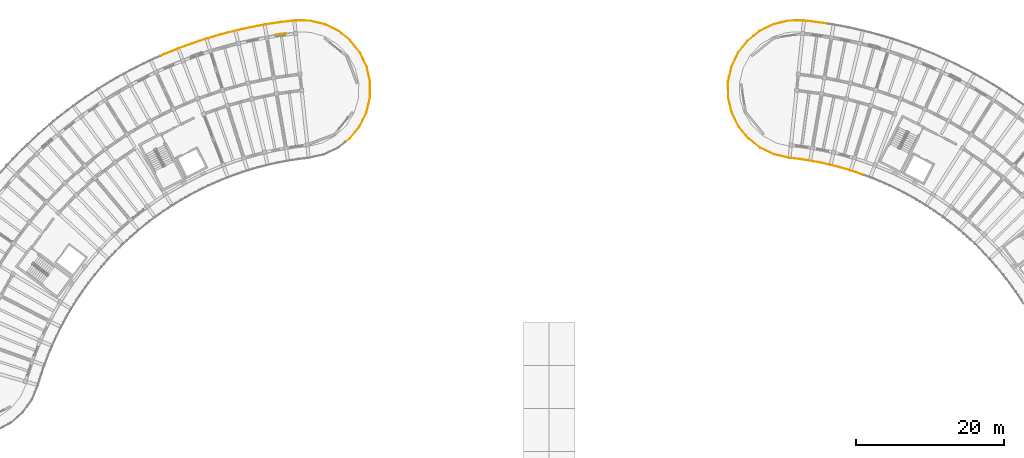
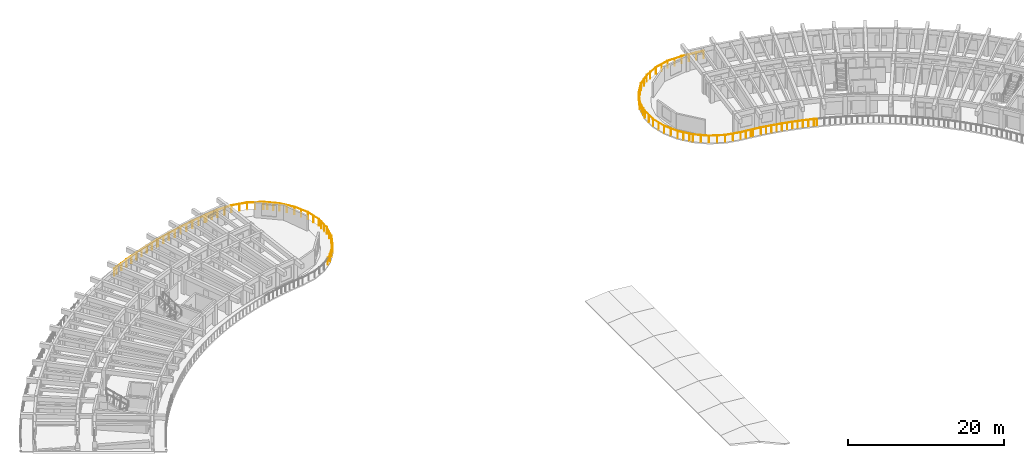
# One storey, part 60 of 69: 10 railings, 1 shading device.
"""IFC4 building model written with IfcOpenShell, lengths in metres."""

from ifc_helpers import new_model, si_unit, direction, frame, origin, origin_2d, place, context, subcontext, project, spatial, rectangle, circle, extrude, material, layer, layer_set, type_object, element, save


model = new_model("IFC4")

# Units and contexts
model_context = context("Model", 3, precision=1e-05, world=origin(), true_north=direction((0.0, 1.0)))
body_context = subcontext(model_context, "Body", "Model", "MODEL_VIEW")
ifc_project = project(units=[si_unit("LENGTHUNIT", "METRE"), si_unit("AREAUNIT", "SQUARE_METRE"), si_unit("VOLUMEUNIT", "CUBIC_METRE"), si_unit("PLANEANGLEUNIT", "RADIAN"), si_unit("MASSUNIT", "GRAM", prefix="KILO")], contexts=[model_context])

# Site, building, storey
site_placement = place(None, origin())
site = spatial("IfcSite", under=ifc_project, at=site_placement, CompositionType="ELEMENT")
building_placement = place(site_placement, origin())
building = spatial("IfcBuilding", under=site, at=building_placement, Name="Tanwirah Colonnade Gardens", CompositionType="ELEMENT")
storey_placement = place(building_placement, frame((0.0, 0.0, 15.56005859375)))
storey = spatial("IfcBuildingStorey", under=building, at=storey_placement, Name="L04", CompositionType="ELEMENT", Elevation=15.56005859375)

# Railings
ifc_material_1 = material(Name="Precast concrete C40/50", Category="concrete")
railing_type = type_object("IfcRailingType", Name="BAL-EXT112", PredefinedType="BALUSTRADE", material=ifc_material_1)
railing_1_placement = place(storey_placement, frame((40.5517578125, 116.428466796875, 0.0)))
element("IfcRailing", 1, at=railing_1_placement, inside=storey, type_object=railing_type, Name="Block A L04 Balcony Ribbon Balustrade 17", PredefinedType="BALUSTRADE", context=body_context, shape_type="SweptSolid", body=[
    extrude(circle(Radius=0.02392578125, at=origin_2d()), frame((0.028564453125, 0.0126953125, 1.09619140625), z_axis=(0.914037447664, 0.405629811857, 0.0), x_axis=(-0.405629811857, 0.914037447664, 0.0)), (0.0, 0.0, 1.0), 0.471923828125),
    extrude(circle(Radius=0.02392578125, at=origin_2d()), frame((0.517578125, 0.228515625, 1.09619140625), z_axis=(0.926784720453, 0.375592973757, 0.0), x_axis=(-0.375592973757, 0.926784720453, 0.0)), (0.0, 0.0, 1.0), 1.958984375),
    extrude(circle(Radius=0.02392578125, at=origin_2d()), frame((2.391357421875, 0.98681640625, 1.09619140625), z_axis=(0.938723993457, 0.344669789956, 0.0), x_axis=(-0.344669789956, 0.938723993457, 0.0)), (0.0, 0.0, 1.0), 1.958984375),
    extrude(circle(Radius=0.02392578125, at=origin_2d()), frame((4.28955078125, 1.6826171875, 1.09619140625), z_axis=(0.949537316482, 0.313654084317, 0.0), x_axis=(-0.313654084317, 0.949537316482, 0.0)), (0.0, 0.0, 1.0), 1.958984375),
    extrude(circle(Radius=0.02392578125, at=origin_2d()), frame((6.209228515625, 2.315673828125, 1.09619140625), z_axis=(0.9593675466, 0.282159370801, 0.0), x_axis=(-0.282159370801, 0.9593675466, 0.0)), (0.0, 0.0, 1.0), 1.83837890625),
    extrude(circle(Radius=0.02099609375, at=origin_2d()), origin(), (0.0, 0.0, 1.0), 1.069091796875),
    extrude(circle(Radius=0.02099609375, at=origin_2d()), frame((0.488525390625, 0.216796875, 0.0)), (0.0, 0.0, 1.0), 1.069091796875),
    extrude(circle(Radius=0.02099609375, at=origin_2d()), frame((1.42529296875, 0.596435546875, 0.0)), (0.0, 0.0, 1.0), 1.069091796875),
    extrude(circle(Radius=0.02099609375, at=origin_2d()), frame((2.362060546875, 0.97607421875, 0.0)), (0.0, 0.0, 1.0), 1.069091796875),
    extrude(circle(Radius=0.02099609375, at=origin_2d()), frame((3.31103515625, 1.324462890625, 0.0)), (0.0, 0.0, 1.0), 1.069091796875),
    extrude(circle(Radius=0.02099609375, at=origin_2d()), frame((4.259765625, 1.6728515625, 0.0)), (0.0, 0.0, 1.0), 1.069091796875),
    extrude(circle(Radius=0.02099609375, at=origin_2d()), frame((5.219482421875, 1.98974609375, 0.0)), (0.0, 0.0, 1.0), 1.069091796875),
    extrude(circle(Radius=0.02099609375, at=origin_2d()), frame((6.17919921875, 2.306884765625, 0.0)), (0.0, 0.0, 1.0), 1.069091796875),
    extrude(circle(Radius=0.02099609375, at=origin_2d()), frame((7.091064453125, 2.5751953125, 0.0)), (0.0, 0.0, 1.0), 1.069091796875),
    extrude(circle(Radius=0.02099609375, at=origin_2d()), frame((8.0029296875, 2.84326171875, 0.0)), (0.0, 0.0, 1.0), 1.069091796875),
])
railing_2_placement = place(storey_placement, frame((48.5546875, 119.271728515625, 0.0)))
element("IfcRailing", 2, at=railing_2_placement, inside=storey, type_object=railing_type, Name="Block A L04 Balcony Ribbon Balustrade 18", PredefinedType="BALUSTRADE", context=body_context, shape_type="SweptSolid", body=[
    extrude(circle(Radius=0.02392578125, at=origin_2d()), frame((0.030029296875, 0.0087890625, 1.09619140625), z_axis=(0.959430074946, 0.281946681644, 0.0), x_axis=(-0.281946681644, 0.959430074946, 0.0)), (0.0, 0.0, 1.0), 0.057861328125),
    extrude(circle(Radius=0.02392578125, at=origin_2d()), frame((0.145751953125, 0.041748046875, 1.09619140625), z_axis=(0.968157509899, 0.250341838346, 0.0), x_axis=(-0.250341838346, 0.968157509899, 0.0)), (0.0, 0.0, 1.0), 1.959228515625),
    extrude(circle(Radius=0.02392578125, at=origin_2d()), frame((2.103271484375, 0.546875, 1.09619140625), z_axis=(0.975867729966, 0.218362482151, 0.0), x_axis=(-0.218362482151, 0.975867729966, 0.0)), (0.0, 0.0, 1.0), 1.958984375),
    extrude(circle(Radius=0.02392578125, at=origin_2d()), frame((4.076171875, 0.9873046875, 1.09619140625), z_axis=(0.982549371225, 0.186001970705, 0.0), x_axis=(-0.186001970705, 0.982549371225, 0.0)), (0.0, 0.0, 1.0), 1.958740234375),
    extrude(circle(Radius=0.02392578125, at=origin_2d()), frame((6.0625, 1.3623046875, 1.09619140625), z_axis=(0.988130323653, 0.153617913919, 0.0), x_axis=(-0.153617913919, 0.988130323653, 0.0)), (0.0, 0.0, 1.0), 1.958984375),
    extrude(circle(Radius=0.02392578125, at=origin_2d()), frame((8.06005859375, 1.671630859375, 1.09619140625), z_axis=(0.992706670136, 0.120554830125, 0.0), x_axis=(-0.120554830125, 0.992706670136, 0.0)), (0.0, 0.0, 1.0), 0.231201171875),
    extrude(circle(Radius=0.02099609375, at=origin_2d()), origin(), (0.0, 0.0, 1.0), 1.069091796875),
    extrude(circle(Radius=0.02099609375, at=origin_2d()), frame((0.115478515625, 0.033935546875, 0.0)), (0.0, 0.0, 1.0), 1.069091796875),
    extrude(circle(Radius=0.02099609375, at=origin_2d()), frame((1.09423828125, 0.287109375, 0.0)), (0.0, 0.0, 1.0), 1.069091796875),
    extrude(circle(Radius=0.02099609375, at=origin_2d()), frame((2.07275390625, 0.5400390625, 0.0)), (0.0, 0.0, 1.0), 1.069091796875),
    extrude(circle(Radius=0.02099609375, at=origin_2d()), frame((3.05908203125, 0.7607421875, 0.0)), (0.0, 0.0, 1.0), 1.069091796875),
    extrude(circle(Radius=0.02099609375, at=origin_2d()), frame((4.04541015625, 0.9814453125, 0.0)), (0.0, 0.0, 1.0), 1.069091796875),
    extrude(circle(Radius=0.02099609375, at=origin_2d()), frame((5.03857421875, 1.16943359375, 0.0)), (0.0, 0.0, 1.0), 1.069091796875),
    extrude(circle(Radius=0.02099609375, at=origin_2d()), frame((6.031494140625, 1.357421875, 0.0)), (0.0, 0.0, 1.0), 1.069091796875),
    extrude(circle(Radius=0.02099609375, at=origin_2d()), frame((7.0302734375, 1.5126953125, 0.0)), (0.0, 0.0, 1.0), 1.069091796875),
    extrude(circle(Radius=0.02099609375, at=origin_2d()), frame((8.029052734375, 1.66796875, 0.0)), (0.0, 0.0, 1.0), 1.069091796875),
    extrude(circle(Radius=0.02099609375, at=origin_2d()), frame((8.320556640625, 1.703369140625, 0.0)), (0.0, 0.0, 1.0), 1.069091796875),
])
railing_3_placement = place(storey_placement, frame((56.875244140625, 120.97509765625, 0.0)))
element("IfcRailing", 3, at=railing_3_placement, inside=storey, type_object=railing_type, Name="Block A L04 Balcony Ribbon Balustrade 19", PredefinedType="BALUSTRADE", context=body_context, shape_type="SweptSolid", body=[
    extrude(circle(Radius=0.02392578125, at=origin_2d()), frame((0.031005859375, 0.003662109375, 1.09619140625), z_axis=(0.992658739514, 0.120948860543, 0.0), x_axis=(-0.120948860543, 0.992658739514, 0.0)), (0.0, 0.0, 1.0), 1.661376953125),
    extrude(circle(Radius=0.02392578125, at=origin_2d()), frame((1.742431640625, 0.208251953125, 1.09619140625), z_axis=(0.999972077233, -0.00747293472, 0.0), x_axis=(0.00747293472, 0.999972077233, 0.0)), (0.0, 0.0, 1.0), 2.0283203125),
    extrude(circle(Radius=0.02392578125, at=origin_2d()), frame((3.83251953125, 0.185791015625, 1.09619140625), z_axis=(0.973245052386, -0.229769597654, 0.0), x_axis=(0.229769597654, 0.973245052386, 0.0)), (0.0, 0.0, 1.0), 2.0244140625),
    extrude(circle(Radius=0.02392578125, at=origin_2d()), frame((5.861083984375, -0.30029296875, 1.09619140625), z_axis=(0.89767854763, -0.440650910727, 0.0), x_axis=(0.440650910727, 0.89767854763, 0.0)), (0.0, 0.0, 1.0), 2.024658203125),
    extrude(circle(Radius=0.02392578125, at=origin_2d()), frame((7.73095703125, -1.22607421875, 1.09619140625), z_axis=(0.777222634712, -0.62922569567, 0.0), x_axis=(0.62922569567, 0.777222634712, 0.0)), (0.0, 0.0, 1.0), 0.448974609375),
    extrude(circle(Radius=0.02099609375, at=origin_2d()), origin(), (0.0, 0.0, 1.0), 1.069091796875),
    extrude(circle(Radius=0.02099609375, at=origin_2d()), frame((0.85546875, 0.104248046875, 0.0)), (0.0, 0.0, 1.0), 1.069091796875),
    extrude(circle(Radius=0.02099609375, at=origin_2d()), frame((1.711181640625, 0.20849609375, 0.0)), (0.0, 0.0, 1.0), 1.069091796875),
    extrude(circle(Radius=0.02099609375, at=origin_2d()), frame((2.756591796875, 0.20068359375, 0.0)), (0.0, 0.0, 1.0), 1.069091796875),
    extrude(circle(Radius=0.02099609375, at=origin_2d()), frame((3.802001953125, 0.19287109375, 0.0)), (0.0, 0.0, 1.0), 1.069091796875),
    extrude(circle(Radius=0.02099609375, at=origin_2d()), frame((4.8173828125, -0.046875, 0.0)), (0.0, 0.0, 1.0), 1.069091796875),
    extrude(circle(Radius=0.02099609375, at=origin_2d()), frame((5.8330078125, -0.28662109375, 0.0)), (0.0, 0.0, 1.0), 1.069091796875),
    extrude(circle(Radius=0.02099609375, at=origin_2d()), frame((6.769775390625, -0.74658203125, 0.0)), (0.0, 0.0, 1.0), 1.069091796875),
    extrude(circle(Radius=0.02099609375, at=origin_2d()), frame((7.70654296875, -1.206298828125, 0.0)), (0.0, 0.0, 1.0), 1.069091796875),
    extrude(circle(Radius=0.02099609375, at=origin_2d()), frame((8.10400390625, -1.528076171875, 0.0)), (0.0, 0.0, 1.0), 1.069091796875),
])
railing_4_placement = place(storey_placement, frame((64.979248046875, 119.447021484375, 0.0)))
element("IfcRailing", 4, at=railing_4_placement, inside=storey, type_object=railing_type, Name="Block A L04 Balcony Ribbon Balustrade 20", PredefinedType="BALUSTRADE", context=body_context, shape_type="SweptSolid", body=[
    extrude(circle(Radius=0.02392578125, at=origin_2d()), frame((0.0244140625, -0.019775390625, 1.09619140625), z_axis=(0.777151033754, -0.629314127233, 0.0), x_axis=(0.629314127233, 0.777151033754, 0.0)), (0.0, 0.0, 1.0), 1.512939453125),
    extrude(circle(Radius=0.02392578125, at=origin_2d()), frame((1.24365234375, -1.01611328125, 1.09619140625), z_axis=(0.617578689713, -0.786509098493, 0.0), x_axis=(0.786509098493, 0.617578689713, 0.0)), (0.0, 0.0, 1.0), 2.0244140625),
    extrude(circle(Radius=0.02392578125, at=origin_2d()), frame((2.526611328125, -2.6611328125, 1.09619140625), z_axis=(0.427120558346, -0.904194685142, 0.0), x_axis=(0.904194685142, 0.427120558346, 0.0)), (0.0, 0.0, 1.0), 2.0244140625),
    extrude(circle(Radius=0.02392578125, at=origin_2d()), frame((3.411376953125, -4.55029296875, 1.09619140625), z_axis=(0.215270196259, -0.97655452618, 0.0), x_axis=(0.97655452618, 0.215270196259, 0.0)), (0.0, 0.0, 1.0), 2.024169921875),
    extrude(circle(Radius=0.02392578125, at=origin_2d()), frame((3.853515625, -6.5888671875, 1.09619140625), z_axis=(-0.007720358143, -0.999970197591, 0.0), x_axis=(0.999970197591, -0.007720358143, 0.0)), (0.0, 0.0, 1.0), 0.6015625),
    extrude(circle(Radius=0.02099609375, at=origin_2d()), origin(), (0.0, 0.0, 1.0), 1.069091796875),
    extrude(circle(Radius=0.02099609375, at=origin_2d()), frame((0.6123046875, -0.49560546875, 0.0)), (0.0, 0.0, 1.0), 1.069091796875),
    extrude(circle(Radius=0.02099609375, at=origin_2d()), frame((1.224365234375, -0.991455078125, 0.0)), (0.0, 0.0, 1.0), 1.069091796875),
    extrude(circle(Radius=0.02099609375, at=origin_2d()), frame((1.86865234375, -1.81201171875, 0.0)), (0.0, 0.0, 1.0), 1.069091796875),
    extrude(circle(Radius=0.02099609375, at=origin_2d()), frame((2.51318359375, -2.6328125, 0.0)), (0.0, 0.0, 1.0), 1.069091796875),
    extrude(circle(Radius=0.02099609375, at=origin_2d()), frame((2.958984375, -3.576171875, 0.0)), (0.0, 0.0, 1.0), 1.069091796875),
    extrude(circle(Radius=0.02099609375, at=origin_2d()), frame((3.404541015625, -4.519775390625, 0.0)), (0.0, 0.0, 1.0), 1.069091796875),
    extrude(circle(Radius=0.02099609375, at=origin_2d()), frame((3.629150390625, -5.53857421875, 0.0)), (0.0, 0.0, 1.0), 1.069091796875),
    extrude(circle(Radius=0.02099609375, at=origin_2d()), frame((3.853759765625, -6.5576171875, 0.0)), (0.0, 0.0, 1.0), 1.069091796875),
    extrude(circle(Radius=0.02099609375, at=origin_2d()), frame((3.8486328125, -7.2216796875, 0.0)), (0.0, 0.0, 1.0), 1.069091796875),
])
railing_5_placement = place(storey_placement, frame((68.827880859375, 112.225341796875, 0.0)))
element("IfcRailing", 5, at=railing_5_placement, inside=storey, type_object=railing_type, Name="Block A L04 Balcony Ribbon Balustrade 21", PredefinedType="BALUSTRADE", context=body_context, shape_type="SweptSolid", body=[
    extrude(circle(Radius=0.02392578125, at=origin_2d()), frame((-0.000244140625, -0.03125, 1.09619140625), z_axis=(-0.007377973514, -0.999972782383, 0.0), x_axis=(0.999972782383, -0.007377973514, 0.0)), (0.0, 0.0, 1.0), 1.3603515625),
    extrude(circle(Radius=0.02392578125, at=origin_2d()), frame((-0.017578125, -1.453369140625, 1.09619140625), z_axis=(-0.229769597654, -0.973245052386, 0.0), x_axis=(0.973245052386, -0.229769597654, 0.0)), (0.0, 0.0, 1.0), 2.0244140625),
    extrude(circle(Radius=0.02392578125, at=origin_2d()), frame((-0.503662109375, -3.48193359375, 1.09619140625), z_axis=(-0.440650910727, -0.89767854763, 0.0), x_axis=(0.89767854763, -0.440650910727, 0.0)), (0.0, 0.0, 1.0), 2.024658203125),
    extrude(circle(Radius=0.02392578125, at=origin_2d()), frame((-1.429443359375, -5.351806640625, 1.09619140625), z_axis=(-0.629292457571, -0.777168580711, 0.0), x_axis=(0.777168580711, -0.629292457571, 0.0)), (0.0, 0.0, 1.0), 2.0244140625),
    extrude(circle(Radius=0.02392578125, at=origin_2d()), frame((-2.74755859375, -6.968505859375, 1.09619140625), z_axis=(-0.786525843464, -0.617557363784, 0.0), x_axis=(0.617557363784, -0.786525843464, 0.0)), (0.0, 0.0, 1.0), 0.75390625),
    extrude(circle(Radius=0.02099609375, at=origin_2d()), origin(), (0.0, 0.0, 1.0), 1.069091796875),
    extrude(circle(Radius=0.02099609375, at=origin_2d()), frame((-0.00537109375, -0.71142578125, 0.0)), (0.0, 0.0, 1.0), 1.069091796875),
    extrude(circle(Radius=0.02099609375, at=origin_2d()), frame((-0.010498046875, -1.4228515625, 0.0)), (0.0, 0.0, 1.0), 1.069091796875),
    extrude(circle(Radius=0.02099609375, at=origin_2d()), frame((-0.250244140625, -2.4384765625, 0.0)), (0.0, 0.0, 1.0), 1.069091796875),
    extrude(circle(Radius=0.02099609375, at=origin_2d()), frame((-0.489990234375, -3.453857421875, 0.0)), (0.0, 0.0, 1.0), 1.069091796875),
    extrude(circle(Radius=0.02099609375, at=origin_2d()), frame((-0.94970703125, -4.390625, 0.0)), (0.0, 0.0, 1.0), 1.069091796875),
    extrude(circle(Radius=0.02099609375, at=origin_2d()), frame((-1.40966796875, -5.327392578125, 0.0)), (0.0, 0.0, 1.0), 1.069091796875),
    extrude(circle(Radius=0.02099609375, at=origin_2d()), frame((-2.06640625, -6.13818359375, 0.0)), (0.0, 0.0, 1.0), 1.069091796875),
    extrude(circle(Radius=0.02099609375, at=origin_2d()), frame((-2.722900390625, -6.94921875, 0.0)), (0.0, 0.0, 1.0), 1.069091796875),
    extrude(circle(Radius=0.02099609375, at=origin_2d()), frame((-3.364990234375, -7.453369140625, 0.0)), (0.0, 0.0, 1.0), 1.069091796875),
])
railing_6_placement = place(storey_placement, frame((135.417236328125, 100.3662109375, 0.0)))
element("IfcRailing", 6, at=railing_6_placement, inside=storey, type_object=railing_type, Name="Block B L04 Balcony Ribbon Balustrade 6", PredefinedType="BALUSTRADE", context=body_context, shape_type="SweptSolid", body=[
    extrude(circle(Radius=0.02392578125, at=origin_2d()), frame((-0.029296875, 0.0107421875, 1.09619140625), z_axis=(-0.938686381743, 0.344772209916, 0.0), x_axis=(-0.344772209916, -0.938686381743, 0.0)), (0.0, 0.0, 1.0), 0.325439453125),
    extrude(circle(Radius=0.02392578125, at=origin_2d()), frame((-0.396728515625, 0.14453125, 1.09619140625), z_axis=(-0.949531842797, 0.313670654533, 0.0), x_axis=(-0.313670654533, -0.949531842797, 0.0)), (0.0, 0.0, 1.0), 1.341552734375),
    extrude(circle(Radius=0.02392578125, at=origin_2d()), frame((-1.73291015625, 0.584716796875, 1.09619140625), z_axis=(-0.959362733044, 0.282175736812, 0.0), x_axis=(-0.282175736812, -0.959362733044, 0.0)), (0.0, 0.0, 1.0), 1.341796875),
    extrude(circle(Radius=0.02392578125, at=origin_2d()), frame((-3.0830078125, 0.980712890625, 1.09619140625), z_axis=(-0.968157809477, 0.250340679771, 0.0), x_axis=(-0.250340679771, -0.968157809477, 0.0)), (0.0, 0.0, 1.0), 1.341796875),
    extrude(circle(Radius=0.02392578125, at=origin_2d()), frame((-4.4453125, 1.33203125, 1.09619140625), z_axis=(-0.975875211082, 0.218329046156, 0.0), x_axis=(-0.218329046156, -0.975875211082, 0.0)), (0.0, 0.0, 1.0), 1.342041015625),
    extrude(circle(Radius=0.02392578125, at=origin_2d()), frame((-5.818603515625, 1.63818359375, 1.09619140625), z_axis=(-0.982547926195, 0.186009603862, 0.0), x_axis=(-0.186009603862, -0.982547926195, 0.0)), (0.0, 0.0, 1.0), 1.341796875),
    extrude(circle(Radius=0.02392578125, at=origin_2d()), frame((-7.201416015625, 1.89892578125, 1.09619140625), z_axis=(-0.988128738312, 0.153628111108, 0.0), x_axis=(-0.153628111108, -0.988128738312, 0.0)), (0.0, 0.0, 1.0), 1.01171875),
    extrude(circle(Radius=0.02099609375, at=origin_2d()), origin(), (0.0, 0.0, 1.0), 1.069091796875),
    extrude(circle(Radius=0.02099609375, at=origin_2d()), frame((-0.3642578125, 0.1337890625, 0.0)), (0.0, 0.0, 1.0), 1.069091796875),
    extrude(circle(Radius=0.02099609375, at=origin_2d()), frame((-1.03369140625, 0.35498046875, 0.0)), (0.0, 0.0, 1.0), 1.069091796875),
    extrude(circle(Radius=0.02099609375, at=origin_2d()), frame((-1.7001953125, 0.5751953125, 0.0)), (0.0, 0.0, 1.0), 1.069091796875),
    extrude(circle(Radius=0.02099609375, at=origin_2d()), frame((-2.37646484375, 0.77392578125, 0.0)), (0.0, 0.0, 1.0), 1.069091796875),
    extrude(circle(Radius=0.02099609375, at=origin_2d()), frame((-3.050048828125, 0.97216796875, 0.0)), (0.0, 0.0, 1.0), 1.069091796875),
    extrude(circle(Radius=0.02099609375, at=origin_2d()), frame((-3.732421875, 1.148681640625, 0.0)), (0.0, 0.0, 1.0), 1.069091796875),
    extrude(circle(Radius=0.02099609375, at=origin_2d()), frame((-4.412353515625, 1.324462890625, 0.0)), (0.0, 0.0, 1.0), 1.069091796875),
    extrude(circle(Radius=0.02099609375, at=origin_2d()), frame((-5.10009765625, 1.478515625, 0.0)), (0.0, 0.0, 1.0), 1.069091796875),
    extrude(circle(Radius=0.02099609375, at=origin_2d()), frame((-5.785400390625, 1.6318359375, 0.0)), (0.0, 0.0, 1.0), 1.069091796875),
    extrude(circle(Radius=0.02099609375, at=origin_2d()), frame((-6.477783203125, 1.762939453125, 0.0)), (0.0, 0.0, 1.0), 1.069091796875),
    extrude(circle(Radius=0.02099609375, at=origin_2d()), frame((-7.167724609375, 1.8935546875, 0.0)), (0.0, 0.0, 1.0), 1.069091796875),
    extrude(circle(Radius=0.02099609375, at=origin_2d()), frame((-8.23193359375, 2.05908203125, 0.0)), (0.0, 0.0, 1.0), 1.069091796875),
])
railing_7_placement = place(storey_placement, frame((127.185302734375, 102.42529296875, 0.0)))
element("IfcRailing", 7, at=railing_7_placement, inside=storey, type_object=railing_type, Name="Block B L04 Balcony Ribbon Balustrade 7", PredefinedType="BALUSTRADE", context=body_context, shape_type="SweptSolid", body=[
    extrude(circle(Radius=0.02392578125, at=origin_2d()), frame((-0.031005859375, 0.0048828125, 1.09619140625), z_axis=(-0.988208661011, 0.153113168285, 0.0), x_axis=(-0.153113168285, -0.988208661011, 0.0)), (0.0, 0.0, 1.0), 0.267578125),
    extrude(circle(Radius=0.02392578125, at=origin_2d()), frame((-0.359619140625, 0.0546875, 1.09619140625), z_axis=(-0.99267751715, 0.120794647829, 0.0), x_axis=(-0.120794647829, -0.99267751715, 0.0)), (0.0, 0.0, 1.0), 1.338134765625),
    extrude(circle(Radius=0.02392578125, at=origin_2d()), frame((-1.74951171875, 0.22705078125, 1.09619140625), z_axis=(-0.976545428659, 0.215311462222, 0.0), x_axis=(-0.215311462222, -0.976545428659, 0.0)), (0.0, 0.0, 1.0), 2.029541015625),
    extrude(circle(Radius=0.02392578125, at=origin_2d()), frame((-3.790283203125, 0.68408203125, 1.09619140625), z_axis=(-0.904194685142, 0.427120558346, 0.0), x_axis=(-0.427120558346, -0.904194685142, 0.0)), (0.0, 0.0, 1.0), 2.0244140625),
    extrude(circle(Radius=0.02392578125, at=origin_2d()), frame((-5.673583984375, 1.581298828125, 1.09619140625), z_axis=(-0.786509098493, 0.617578689713, 0.0), x_axis=(-0.617578689713, -0.786509098493, 0.0)), (0.0, 0.0, 1.0), 2.0244140625),
    extrude(circle(Radius=0.02392578125, at=origin_2d()), frame((-7.31005859375, 2.875244140625, 1.09619140625), z_axis=(-0.62914215078, 0.777290263744, 0.0), x_axis=(-0.777290263744, -0.62914215078, 0.0)), (0.0, 0.0, 1.0), 0.4384765625),
    extrude(circle(Radius=0.02099609375, at=origin_2d()), origin(), (0.0, 0.0, 1.0), 1.069091796875),
    extrude(circle(Radius=0.02099609375, at=origin_2d()), frame((-0.326171875, 0.050537109375, 0.0)), (0.0, 0.0, 1.0), 1.069091796875),
    extrude(circle(Radius=0.02099609375, at=origin_2d()), frame((-1.02392578125, 0.1357421875, 0.0)), (0.0, 0.0, 1.0), 1.069091796875),
    extrude(circle(Radius=0.02099609375, at=origin_2d()), frame((-1.718994140625, 0.22021484375, 0.0)), (0.0, 0.0, 1.0), 1.069091796875),
    extrude(circle(Radius=0.02099609375, at=origin_2d()), frame((-2.740478515625, 0.4453125, 0.0)), (0.0, 0.0, 1.0), 1.069091796875),
    extrude(circle(Radius=0.02099609375, at=origin_2d()), frame((-3.761962890625, 0.670654296875, 0.0)), (0.0, 0.0, 1.0), 1.069091796875),
    extrude(circle(Radius=0.02099609375, at=origin_2d()), frame((-4.70556640625, 1.1162109375, 0.0)), (0.0, 0.0, 1.0), 1.069091796875),
    extrude(circle(Radius=0.02099609375, at=origin_2d()), frame((-5.64892578125, 1.56201171875, 0.0)), (0.0, 0.0, 1.0), 1.069091796875),
    extrude(circle(Radius=0.02099609375, at=origin_2d()), frame((-6.4697265625, 2.20654296875, 0.0)), (0.0, 0.0, 1.0), 1.069091796875),
    extrude(circle(Radius=0.02099609375, at=origin_2d()), frame((-7.290283203125, 2.850830078125, 0.0)), (0.0, 0.0, 1.0), 1.069091796875),
    extrude(circle(Radius=0.02099609375, at=origin_2d()), frame((-7.60546875, 3.240234375, 0.0)), (0.0, 0.0, 1.0), 1.069091796875),
])
railing_8_placement = place(storey_placement, frame((119.579833984375, 105.66552734375, 0.0)))
element("IfcRailing", 8, at=railing_8_placement, inside=storey, type_object=railing_type, Name="Block B L04 Balcony Ribbon Balustrade 8", PredefinedType="BALUSTRADE", context=body_context, shape_type="SweptSolid", body=[
    extrude(circle(Radius=0.02392578125, at=origin_2d()), frame((-0.019775390625, 0.0244140625, 1.09619140625), z_axis=(-0.629339934839, 0.777130134801, 0.0), x_axis=(-0.777130134801, -0.629339934839, 0.0)), (0.0, 0.0, 1.0), 1.5234375),
    extrude(circle(Radius=0.02392578125, at=origin_2d()), frame((-1.01171875, 1.260498046875, 1.09619140625), z_axis=(-0.440650910727, 0.89767854763, 0.0), x_axis=(-0.89767854763, -0.440650910727, 0.0)), (0.0, 0.0, 1.0), 2.024658203125),
    extrude(circle(Radius=0.02392578125, at=origin_2d()), frame((-1.9248046875, 3.136474609375, 1.09619140625), z_axis=(-0.229769597654, 0.973245052386, 0.0), x_axis=(-0.973245052386, -0.229769597654, 0.0)), (0.0, 0.0, 1.0), 2.0244140625),
    extrude(circle(Radius=0.02392578125, at=origin_2d()), frame((-2.3974609375, 5.168212890625, 1.09619140625), z_axis=(-0.007486921648, 0.999971972609, 0.0), x_axis=(-0.999971972609, -0.007486921648, 0.0)), (0.0, 0.0, 1.0), 2.0244140625),
    extrude(circle(Radius=0.02392578125, at=origin_2d()), frame((-2.406005859375, 7.25439453125, 1.09619140625), z_axis=(0.215268146696, 0.97655497798, 0.0), x_axis=(-0.97655497798, 0.215268146696, 0.0)), (0.0, 0.0, 1.0), 0.5908203125),
    extrude(circle(Radius=0.02099609375, at=origin_2d()), origin(), (0.0, 0.0, 1.0), 1.069091796875),
    extrude(circle(Radius=0.02099609375, at=origin_2d()), frame((-0.4990234375, 0.6162109375, 0.0)), (0.0, 0.0, 1.0), 1.069091796875),
    extrude(circle(Radius=0.02099609375, at=origin_2d()), frame((-0.998046875, 1.232421875, 0.0)), (0.0, 0.0, 1.0), 1.069091796875),
    extrude(circle(Radius=0.02099609375, at=origin_2d()), frame((-1.4580078125, 2.169189453125, 0.0)), (0.0, 0.0, 1.0), 1.069091796875),
    extrude(circle(Radius=0.02099609375, at=origin_2d()), frame((-1.917724609375, 3.10595703125, 0.0)), (0.0, 0.0, 1.0), 1.069091796875),
    extrude(circle(Radius=0.02099609375, at=origin_2d()), frame((-2.157470703125, 4.12158203125, 0.0)), (0.0, 0.0, 1.0), 1.069091796875),
    extrude(circle(Radius=0.02099609375, at=origin_2d()), frame((-2.397216796875, 5.136962890625, 0.0)), (0.0, 0.0, 1.0), 1.069091796875),
    extrude(circle(Radius=0.02099609375, at=origin_2d()), frame((-2.405029296875, 6.180419921875, 0.0)), (0.0, 0.0, 1.0), 1.069091796875),
    extrude(circle(Radius=0.02099609375, at=origin_2d()), frame((-2.412841796875, 7.223876953125, 0.0)), (0.0, 0.0, 1.0), 1.069091796875),
    extrude(circle(Radius=0.02099609375, at=origin_2d()), frame((-2.272216796875, 7.86181640625, 0.0)), (0.0, 0.0, 1.0), 1.069091796875),
])
railing_9_placement = place(storey_placement, frame((117.3076171875, 113.52734375, 0.0)))
element("IfcRailing", 9, at=railing_9_placement, inside=storey, type_object=railing_type, Name="Block B L04 Balcony Ribbon Balustrade 9", PredefinedType="BALUSTRADE", context=body_context, shape_type="SweptSolid", body=[
    extrude(circle(Radius=0.02392578125, at=origin_2d()), frame((0.0068359375, 0.030517578125, 1.09619140625), z_axis=(0.215271130249, 0.976554320292, 0.0), x_axis=(-0.976554320292, 0.215271130249, 0.0)), (0.0, 0.0, 1.0), 1.37109375),
    extrude(circle(Radius=0.02392578125, at=origin_2d()), frame((0.322021484375, 1.42822265625, 1.09619140625), z_axis=(0.427120558346, 0.904194685142, 0.0), x_axis=(-0.904194685142, 0.427120558346, 0.0)), (0.0, 0.0, 1.0), 2.0244140625),
    extrude(circle(Radius=0.02392578125, at=origin_2d()), frame((1.21923828125, 3.3115234375, 1.09619140625), z_axis=(0.617578689713, 0.786509098493, 0.0), x_axis=(-0.786509098493, 0.617578689713, 0.0)), (0.0, 0.0, 1.0), 2.0244140625),
    extrude(circle(Radius=0.02392578125, at=origin_2d()), frame((2.51318359375, 4.947998046875, 1.09619140625), z_axis=(0.777168580711, 0.629292457571, 0.0), x_axis=(-0.629292457571, 0.777168580711, 0.0)), (0.0, 0.0, 1.0), 2.0244140625),
    extrude(circle(Radius=0.02392578125, at=origin_2d()), frame((4.138671875, 6.255126953125, 1.09619140625), z_axis=(0.897735153501, 0.440535576507, 0.0), x_axis=(-0.440535576507, 0.897735153501, 0.0)), (0.0, 0.0, 1.0), 0.7431640625),
    extrude(circle(Radius=0.02099609375, at=origin_2d()), origin(), (0.0, 0.0, 1.0), 1.069091796875),
    extrude(circle(Radius=0.02099609375, at=origin_2d()), frame((0.154296875, 0.699951171875, 0.0)), (0.0, 0.0, 1.0), 1.069091796875),
    extrude(circle(Radius=0.02099609375, at=origin_2d()), frame((0.30859375, 1.39990234375, 0.0)), (0.0, 0.0, 1.0), 1.069091796875),
    extrude(circle(Radius=0.02099609375, at=origin_2d()), frame((0.75439453125, 2.34326171875, 0.0)), (0.0, 0.0, 1.0), 1.069091796875),
    extrude(circle(Radius=0.02099609375, at=origin_2d()), frame((1.199951171875, 3.286865234375, 0.0)), (0.0, 0.0, 1.0), 1.069091796875),
    extrude(circle(Radius=0.02099609375, at=origin_2d()), frame((1.84423828125, 4.107421875, 0.0)), (0.0, 0.0, 1.0), 1.069091796875),
    extrude(circle(Radius=0.02099609375, at=origin_2d()), frame((2.48876953125, 4.92822265625, 0.0)), (0.0, 0.0, 1.0), 1.069091796875),
    extrude(circle(Radius=0.02099609375, at=origin_2d()), frame((3.2998046875, 5.5849609375, 0.0)), (0.0, 0.0, 1.0), 1.069091796875),
    extrude(circle(Radius=0.02099609375, at=origin_2d()), frame((4.110595703125, 6.241455078125, 0.0)), (0.0, 0.0, 1.0), 1.069091796875),
    extrude(circle(Radius=0.02099609375, at=origin_2d()), frame((4.833984375, 6.596435546875, 0.0)), (0.0, 0.0, 1.0), 1.069091796875),
])
railing_10_placement = place(storey_placement, frame((122.1416015625, 120.123779296875, 0.0)))
element("IfcRailing", 10, at=railing_10_placement, inside=storey, type_object=railing_type, Name="Block B L04 Balcony Ribbon Balustrade 10", PredefinedType="BALUSTRADE", context=body_context, shape_type="SweptSolid", body=[
    extrude(circle(Radius=0.02392578125, at=origin_2d()), frame((0.028076171875, 0.013671875, 1.09619140625), z_axis=(0.897642941236, 0.440723439414, 0.0), x_axis=(-0.440723439414, 0.897642941236, 0.0)), (0.0, 0.0, 1.0), 1.21875),
    extrude(circle(Radius=0.02392578125, at=origin_2d()), frame((1.1806640625, 0.57177734375, 1.09619140625), z_axis=(0.973245052386, 0.229769597654, 0.0), x_axis=(-0.229769597654, 0.973245052386, 0.0)), (0.0, 0.0, 1.0), 2.0244140625),
    extrude(circle(Radius=0.02392578125, at=origin_2d()), frame((3.21240234375, 1.04443359375, 1.09619140625), z_axis=(0.999972077233, 0.00747293472, 0.0), x_axis=(-0.00747293472, 0.999972077233, 0.0)), (0.0, 0.0, 1.0), 2.0283203125),
    extrude(circle(Radius=0.02392578125, at=origin_2d()), frame((5.302978515625, 1.05615234375, 1.09619140625), z_axis=(0.992665725565, -0.120891510403, 0.0), x_axis=(0.120891510403, 0.992665725565, 0.0)), (0.0, 0.0, 1.0), 1.955078125),
    extrude(circle(Radius=0.02392578125, at=origin_2d()), frame((7.3056640625, 0.81103515625, 1.09619140625), z_axis=(0.988133367747, -0.153598331844, 0.0), x_axis=(0.153598331844, 0.988133367747, 0.0)), (0.0, 0.0, 1.0), 0.961181640625),
    extrude(circle(Radius=0.02099609375, at=origin_2d()), origin(), (0.0, 0.0, 1.0), 1.069091796875),
    extrude(circle(Radius=0.02099609375, at=origin_2d()), frame((1.150146484375, 0.564697265625, 0.0)), (0.0, 0.0, 1.0), 1.069091796875),
    extrude(circle(Radius=0.02099609375, at=origin_2d()), frame((2.16552734375, 0.804443359375, 0.0)), (0.0, 0.0, 1.0), 1.069091796875),
    extrude(circle(Radius=0.02099609375, at=origin_2d()), frame((3.18115234375, 1.044189453125, 0.0)), (0.0, 0.0, 1.0), 1.069091796875),
    extrude(circle(Radius=0.02099609375, at=origin_2d()), frame((4.2265625, 1.052001953125, 0.0)), (0.0, 0.0, 1.0), 1.069091796875),
    extrude(circle(Radius=0.02099609375, at=origin_2d()), frame((5.27197265625, 1.059814453125, 0.0)), (0.0, 0.0, 1.0), 1.069091796875),
    extrude(circle(Radius=0.02099609375, at=origin_2d()), frame((6.2734375, 0.93798828125, 0.0)), (0.0, 0.0, 1.0), 1.069091796875),
    extrude(circle(Radius=0.02099609375, at=origin_2d()), frame((7.274658203125, 0.81591796875, 0.0)), (0.0, 0.0, 1.0), 1.069091796875),
    extrude(circle(Radius=0.02099609375, at=origin_2d()), frame((8.2861328125, 0.65869140625, 0.0)), (0.0, 0.0, 1.0), 1.069091796875),
])

# Shading device
ifc_material_2 = material(Name="Perforated architectural bronze aluminium", Category="aluminium")
ifc_layer = layer(ifc_material_2, 0.050048828125)
ifc_layer_set = layer_set([ifc_layer], Name="Perforated architectural bronze aluminium")
shading_device_type = type_object("IfcShadingDeviceType", Name="SHD-OVH1", PredefinedType="SHUTTER", material=ifc_layer_set)
shading_device_placement = place(storey_placement, frame((56.759033203125, 119.364013671875, 1.8349609375), z_axis=(0.0, 0.0, 1.0), x_axis=(-0.990536278911, -0.137251157233, 0.0)))
element("IfcShadingDevice", 11, at=shading_device_placement, inside=storey, type_object=shading_device_type, Name="Solar shading louver hood A-L04-00", PredefinedType="SHUTTER", context=body_context, shape_type="SweptSolid", body=[
    extrude(rectangle(XDim=1.35009765625, YDim=0.06005859375, at=origin_2d()), origin(), (0.0, 0.0, 1.0), 0.449951171875),
])

save(model, "model.ifc")
